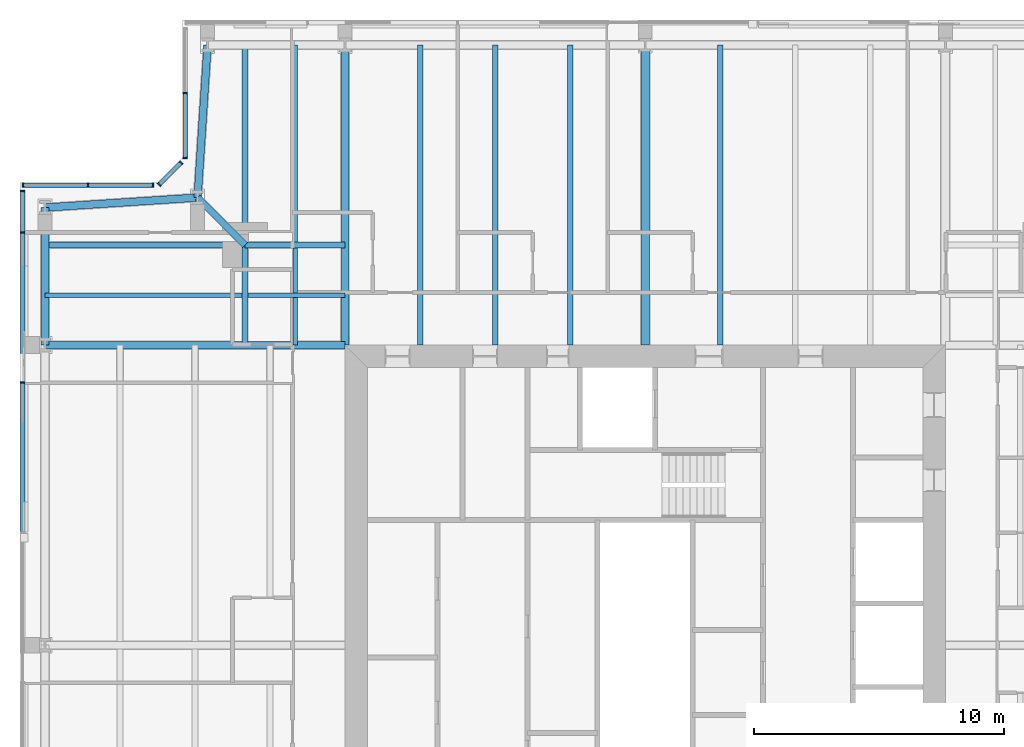
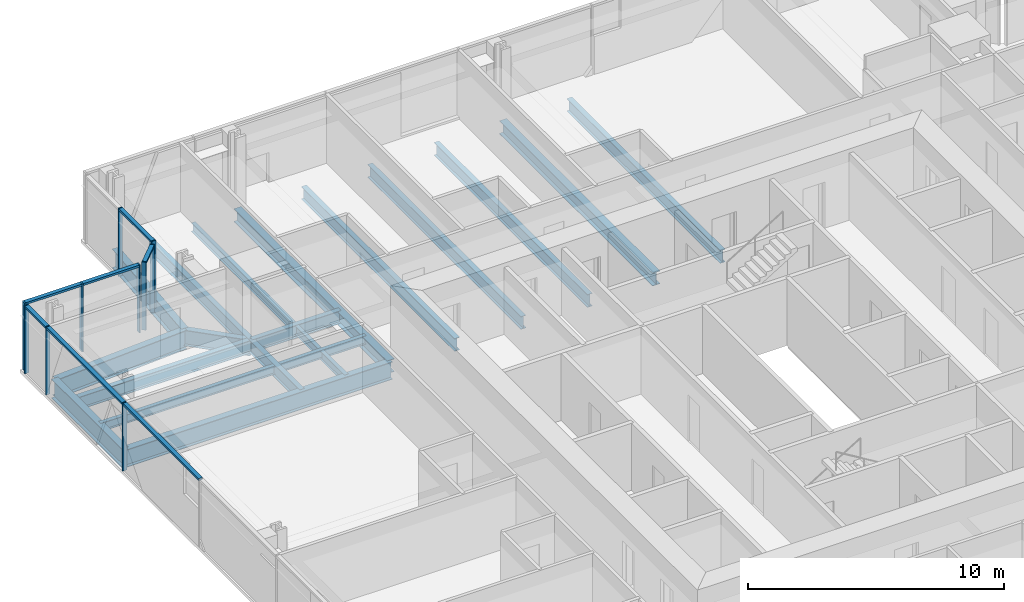
# One storey, part 7 of 18: 20 beams, 17 members, 4 elements without a shape of their own.
"""IFC4 building model written with IfcOpenShell, lengths in metres."""

from ifc_helpers import new_model, si_unit, direction, frame, origin, origin_2d, place, context, subcontext, project, spatial, rectangle, i_section, extrude, material, material_profile, profile_set, type_object, element, aggregate, save


model = new_model("IFC4")

# Units and contexts
model_context = context("Model", 3, precision=1e-05, world=origin(), true_north=direction((0.0, 1.0)))
body_context = subcontext(model_context, "Body", "Model", "MODEL_VIEW")
ifc_project = project(units=[si_unit("LENGTHUNIT", "METRE"), si_unit("AREAUNIT", "SQUARE_METRE"), si_unit("VOLUMEUNIT", "CUBIC_METRE"), si_unit("PLANEANGLEUNIT", "RADIAN"), si_unit("MASSUNIT", "GRAM", prefix="KILO")], contexts=[model_context])

# Site, building, storey
site_placement = place(None, origin())
site = spatial("IfcSite", under=ifc_project, at=site_placement, CompositionType="ELEMENT")
building_placement = place(site_placement, origin())
building = spatial("IfcBuilding", under=site, at=building_placement, Name="Fenwick Lantern Interchange", CompositionType="ELEMENT")
storey_placement = place(building_placement, frame((0.0, 0.0, 262.800048828125)))
storey = spatial("IfcBuildingStorey", under=building, at=storey_placement, Name="L62", CompositionType="ELEMENT", Elevation=262.800048828125)

# Beams
ifc_material_1 = material(Name="Steel ASTM A992 Grade 50", Category="steel")
ifc_material_profile_1 = material_profile(ifc_material_1, i_section(OverallWidth=0.3046875, OverallDepth=0.911865234375, WebThickness=0.015869140625, FlangeThickness=0.02392578125, at=origin_2d()), Name="W36X150")
ifc_profile_set_1 = profile_set([ifc_material_profile_1], Name="Steel ASTM A992 Grade 50")
beam_type_1 = type_object("IfcBeamType", Name="EDGE BEAM W36X150", PredefinedType="SPANDREL", material=ifc_profile_set_1)
for number, where, z_axis, x_axis, name in (
    (1, (7.5, 49.0, -0.60595703125), (-0.065416293237, -0.997858060337, 0.0), (0.997858060337, -0.065416293237, 0.0), "L62/FR/N/EBR1"),
    (2, (7.10009765625, 42.89990234375, -0.60595703125), (-0.997858060337, -0.065416293237, 0.0), (0.065416293237, -0.997858060337, 0.0), "L62/FR/N/EBR2"),
):
    element("IfcBeam", number, at=place(storey_placement, frame(where, z_axis=z_axis, x_axis=x_axis)), inside=storey, type_object=beam_type_1, Name=name, PredefinedType="SPANDREL", context=body_context, shape_type="SweptSolid", body=[
        extrude(i_section(OverallWidth=0.3046875, OverallDepth=0.911865234375, WebThickness=0.015869140625, FlangeThickness=0.02392578125, at=origin_2d()), origin(), (0.0, 0.0, 1.0), 6.11328125),
    ])
beam_1_placement = place(storey_placement, frame((1.0, 42.5, -0.60595703125), z_axis=(0.0, -1.0, 0.0), x_axis=(1.0, 0.0, 0.0)))
element("IfcBeam", 3, at=beam_1_placement, inside=storey, type_object=beam_type_1, Name="L62/FR/W/EB1", PredefinedType="SPANDREL", context=body_context, shape_type="SweptSolid", body=[
    extrude(i_section(OverallWidth=0.3046875, OverallDepth=0.911865234375, WebThickness=0.015869140625, FlangeThickness=0.02392578125, at=origin_2d()), origin(), (0.0, 0.0, 1.0), 5.5),
])
ifc_material_profile_2 = material_profile(ifc_material_1, i_section(OverallWidth=0.22900390625, OverallDepth=0.612060546875, WebThickness=0.011962890625, FlangeThickness=0.01953125, at=origin_2d()), Name="W24X84")
ifc_profile_set_2 = profile_set([ifc_material_profile_2], Name="Steel ASTM A992 Grade 50")
beam_type_2 = type_object("IfcBeamType", Name="FLOOR BEAM W24X84", PredefinedType="BEAM", material=ifc_profile_set_2)
for number, where, z_axis, x_axis, name in (
    (4, (28.0, 49.0, -0.4560546875), (0.0, -1.0, 0.0), (1.0, 0.0, 0.0), "L62/FR/N/R04"),
    (5, (22.0, 49.0, -0.4560546875), (0.0, -1.0, 0.0), (1.0, 0.0, 0.0), "L62/FR/N/R06"),
    (6, (19.0, 49.0, -0.4560546875), (0.0, -1.0, 0.0), (1.0, 0.0, 0.0), "L62/FR/N/R07"),
    (7, (16.0, 49.0, -0.4560546875), (0.0, -1.0, 0.0), (1.0, 0.0, 0.0), "L62/FR/N/R08"),
):
    element("IfcBeam", number, at=place(storey_placement, frame(where, z_axis=z_axis, x_axis=x_axis)), inside=storey, type_object=beam_type_2, Name=name, PredefinedType="BEAM", context=body_context, shape_type="SweptSolid", body=[
        extrude(i_section(OverallWidth=0.22900390625, OverallDepth=0.612060546875, WebThickness=0.011962890625, FlangeThickness=0.01953125, at=origin_2d()), origin(), (0.0, 0.0, 1.0), 12.0),
    ])

# Curtain wall, members
ifc_material_2 = material(Name="Aluminium curtain wall frame", Category="aluminium")
curtain_wall_type = type_object("IfcCurtainWallType", Name="HOTEL CURTAIN WALL", PredefinedType="USERDEFINED", material=ifc_material_2)
curtain_wall_1_placement = place(storey_placement, origin())
curtain_wall_1 = element("IfcCurtainWall", 8, at=curtain_wall_1_placement, inside=storey, type_object=curtain_wall_type, Name="Hotel curtain wall 10", ObjectType="HOTEL CURTAIN WALL", PredefinedType="USERDEFINED")
ifc_material_3 = material(Name="Aluminium extrusion", Category="aluminium")
ifc_material_profile_3 = material_profile(ifc_material_3, rectangle(XDim=0.179931640625, YDim=0.06005859375, at=origin_2d()), Name="HOTEL CURTAIN WALL MULLION 60 X 180")
ifc_profile_set_3 = profile_set([ifc_material_profile_3], Name="Aluminium extrusion")
member_type_1 = type_object("IfcMemberType", Name="HOTEL CURTAIN WALL MULLION 60 X 180", PredefinedType="MULLION", material=ifc_profile_set_3)
member_1_placement = place(storey_placement, frame((6.60009765625, 47.079345703125, 0.0), z_axis=(0.0, 0.0, 1.0), x_axis=(1.0, 0.0, 0.0)))
member_1 = element("IfcMember", 9, at=member_1_placement, type_object=member_type_1, Name="L62/CW/10/M01", PredefinedType="MULLION", context=body_context, shape_type="SweptSolid", body=[
    extrude(rectangle(XDim=0.179931640625, YDim=0.06005859375, at=origin_2d()), origin(), (0.0, 0.0, 1.0), 3.25),
])
member_2_placement = place(storey_placement, frame((6.60009765625, 44.488525390625, 0.0), z_axis=(0.0, 0.0, 1.0), x_axis=(1.0, 0.0, 0.0)))
member_2 = element("IfcMember", 10, at=member_2_placement, type_object=member_type_1, Name="L62/CW/10/M02", PredefinedType="MULLION", context=body_context, shape_type="SweptSolid", body=[
    extrude(rectangle(XDim=0.179931640625, YDim=0.06005859375, at=origin_2d()), origin(), (0.0, 0.0, 1.0), 3.25),
])

curtain_wall_2_placement = place(storey_placement, origin())
curtain_wall_2 = element("IfcCurtainWall", 11, at=curtain_wall_2_placement, inside=storey, type_object=curtain_wall_type, Name="Hotel curtain wall 11", ObjectType="HOTEL CURTAIN WALL", PredefinedType="USERDEFINED")
member_3_placement = place(storey_placement, frame((6.437255859375, 44.2958984375, 0.0), z_axis=(0.0, 0.0, 1.0), x_axis=(0.707106781187, -0.707106781187, 0.0)))
member_3 = element("IfcMember", 12, at=member_3_placement, type_object=member_type_1, Name="L62/CW/11/M00", PredefinedType="MULLION", context=body_context, shape_type="SweptSolid", body=[
    extrude(rectangle(XDim=0.179931640625, YDim=0.06005859375, at=origin_2d()), origin(), (0.0, 0.0, 1.0), 3.25),
])
member_4_placement = place(storey_placement, frame((5.562744140625, 43.421142578125, 0.0), z_axis=(0.0, 0.0, 1.0), x_axis=(0.707106781187, -0.707106781187, 0.0)))
member_4 = element("IfcMember", 13, at=member_4_placement, type_object=member_type_1, Name="L62/CW/11/M01", PredefinedType="MULLION", context=body_context, shape_type="SweptSolid", body=[
    extrude(rectangle(XDim=0.179931640625, YDim=0.06005859375, at=origin_2d()), origin(), (0.0, 0.0, 1.0), 3.25),
])

curtain_wall_3_placement = place(storey_placement, origin())
curtain_wall_3 = element("IfcCurtainWall", 14, at=curtain_wall_3_placement, inside=storey, type_object=curtain_wall_type, Name="Hotel curtain wall 12", ObjectType="HOTEL CURTAIN WALL", PredefinedType="USERDEFINED")
member_5_placement = place(storey_placement, frame((5.3115234375, 43.39990234375, 0.0), z_axis=(0.0, 0.0, 1.0), x_axis=(0.0, -1.0, 0.0)))
member_5 = element("IfcMember", 15, at=member_5_placement, type_object=member_type_1, Name="L62/CW/12/M00", PredefinedType="MULLION", context=body_context, shape_type="SweptSolid", body=[
    extrude(rectangle(XDim=0.179931640625, YDim=0.06005859375, at=origin_2d()), origin(), (0.0, 0.0, 1.0), 3.25),
])
member_6_placement = place(storey_placement, frame((2.720703125, 43.39990234375, 0.0), z_axis=(0.0, 0.0, 1.0), x_axis=(0.0, -1.0, 0.0)))
member_6 = element("IfcMember", 16, at=member_6_placement, type_object=member_type_1, Name="L62/CW/12/M01", PredefinedType="MULLION", context=body_context, shape_type="SweptSolid", body=[
    extrude(rectangle(XDim=0.179931640625, YDim=0.06005859375, at=origin_2d()), origin(), (0.0, 0.0, 1.0), 3.25),
])
member_7_placement = place(storey_placement, frame((0.1298828125, 43.39990234375, 0.0), z_axis=(0.0, 0.0, 1.0), x_axis=(0.0, -1.0, 0.0)))
member_7 = element("IfcMember", 17, at=member_7_placement, type_object=member_type_1, Name="L62/CW/12/M02", PredefinedType="MULLION", context=body_context, shape_type="SweptSolid", body=[
    extrude(rectangle(XDim=0.179931640625, YDim=0.06005859375, at=origin_2d()), origin(), (0.0, 0.0, 1.0), 3.25),
])

curtain_wall_4_placement = place(storey_placement, origin())
curtain_wall_4 = element("IfcCurtainWall", 18, at=curtain_wall_4_placement, inside=storey, type_object=curtain_wall_type, Name="Hotel curtain wall 13", ObjectType="HOTEL CURTAIN WALL", PredefinedType="USERDEFINED")
member_8_placement = place(storey_placement, frame((0.10009765625, 43.169921875, 0.0), z_axis=(0.0, 0.0, 1.0), x_axis=(1.0, 0.0, 0.0)))
member_8 = element("IfcMember", 19, at=member_8_placement, type_object=member_type_1, Name="L62/CW/13/M00", PredefinedType="MULLION", context=body_context, shape_type="SweptSolid", body=[
    extrude(rectangle(XDim=0.179931640625, YDim=0.06005859375, at=origin_2d()), origin(), (0.0, 0.0, 1.0), 3.25),
])
member_9_placement = place(storey_placement, frame((0.10009765625, 41.5, 0.0), z_axis=(0.0, 0.0, 1.0), x_axis=(1.0, 0.0, 0.0)))
member_9 = element("IfcMember", 20, at=member_9_placement, type_object=member_type_1, Name="L62/CW/13/M01", PredefinedType="MULLION", context=body_context, shape_type="SweptSolid", body=[
    extrude(rectangle(XDim=0.179931640625, YDim=0.06005859375, at=origin_2d()), origin(), (0.0, 0.0, 1.0), 3.25),
])
member_10_placement = place(storey_placement, frame((0.10009765625, 35.5, 0.0), z_axis=(0.0, 0.0, 1.0), x_axis=(1.0, 0.0, 0.0)))
member_10 = element("IfcMember", 21, at=member_10_placement, type_object=member_type_1, Name="L62/CW/13/M02", PredefinedType="MULLION", context=body_context, shape_type="SweptSolid", body=[
    extrude(rectangle(XDim=0.179931640625, YDim=0.06005859375, at=origin_2d()), origin(), (0.0, 0.0, 1.0), 3.25),
])

# Member
ifc_material_profile_4 = material_profile(ifc_material_3, rectangle(XDim=0.179931640625, YDim=0.10009765625, at=origin_2d()), Name="HOTEL CURTAIN WALL TRANSOM 100 X 180")
ifc_profile_set_4 = profile_set([ifc_material_profile_4], Name="Aluminium extrusion")
member_type_2 = type_object("IfcMemberType", Name="HOTEL CURTAIN WALL TRANSOM 100 X 180", PredefinedType="MULLION", material=ifc_profile_set_4)
member_11_placement = place(storey_placement, frame((6.60009765625, 47.04931640625, 3.199951171875), z_axis=(0.0, -1.0, 0.0), x_axis=(1.0, 0.0, 0.0)))
member_11 = element("IfcMember", 22, at=member_11_placement, type_object=member_type_2, Name="L62/CW/10/T01", PredefinedType="MULLION", context=body_context, shape_type="SweptSolid", body=[
    extrude(rectangle(XDim=0.179931640625, YDim=0.10009765625, at=origin_2d()), origin(), (0.0, 0.0, 1.0), 2.53076171875),
])

aggregate(curtain_wall_1, [member_1, member_2, member_11])

member_12_placement = place(storey_placement, frame((6.416259765625, 44.274658203125, 3.199951171875), z_axis=(-0.707210470133, -0.707003077033, 0.0), x_axis=(0.707003077033, -0.707210470133, 0.0)))
member_12 = element("IfcMember", 23, at=member_12_placement, type_object=member_type_2, Name="L62/CW/11/T00", PredefinedType="MULLION", context=body_context, shape_type="SweptSolid", body=[
    extrude(rectangle(XDim=0.179931640625, YDim=0.10009765625, at=origin_2d()), origin(), (0.0, 0.0, 1.0), 1.17724609375),
])

aggregate(curtain_wall_2, [member_3, member_4, member_12])

member_13_placement = place(storey_placement, frame((5.281494140625, 43.39990234375, 3.199951171875), z_axis=(-1.0, 0.0, 0.0), x_axis=(0.0, -1.0, 0.0)))
member_13 = element("IfcMember", 24, at=member_13_placement, type_object=member_type_2, Name="L62/CW/12/T00", PredefinedType="MULLION", context=body_context, shape_type="SweptSolid", body=[
    extrude(rectangle(XDim=0.179931640625, YDim=0.10009765625, at=origin_2d()), origin(), (0.0, 0.0, 1.0), 2.53076171875),
])

member_14_placement = place(storey_placement, frame((2.690673828125, 43.39990234375, 3.199951171875), z_axis=(-1.0, 0.0, 0.0), x_axis=(0.0, -1.0, 0.0)))
member_14 = element("IfcMember", 25, at=member_14_placement, type_object=member_type_2, Name="L62/CW/12/T01", PredefinedType="MULLION", context=body_context, shape_type="SweptSolid", body=[
    extrude(rectangle(XDim=0.179931640625, YDim=0.10009765625, at=origin_2d()), origin(), (0.0, 0.0, 1.0), 2.53076171875),
])

aggregate(curtain_wall_3, [member_5, member_6, member_7, member_13, member_14])

member_15_placement = place(storey_placement, frame((0.10009765625, 43.139892578125, 3.199951171875), z_axis=(0.0, -1.0, 0.0), x_axis=(1.0, 0.0, 0.0)))
member_15 = element("IfcMember", 26, at=member_15_placement, type_object=member_type_2, Name="L62/CW/13/T00", PredefinedType="MULLION", context=body_context, shape_type="SweptSolid", body=[
    extrude(rectangle(XDim=0.179931640625, YDim=0.10009765625, at=origin_2d()), origin(), (0.0, 0.0, 1.0), 1.60986328125),
])

member_16_placement = place(storey_placement, frame((0.10009765625, 41.469970703125, 3.199951171875), z_axis=(0.0, -1.0, 0.0), x_axis=(1.0, 0.0, 0.0)))
member_16 = element("IfcMember", 27, at=member_16_placement, type_object=member_type_2, Name="L62/CW/13/T01", PredefinedType="MULLION", context=body_context, shape_type="SweptSolid", body=[
    extrude(rectangle(XDim=0.179931640625, YDim=0.10009765625, at=origin_2d()), origin(), (0.0, 0.0, 1.0), 5.93994140625),
])

member_17_placement = place(storey_placement, frame((0.10009765625, 35.469970703125, 3.199951171875), z_axis=(0.0, -1.0, 0.0), x_axis=(1.0, 0.0, 0.0)))
member_17 = element("IfcMember", 28, at=member_17_placement, type_object=member_type_2, Name="L62/CW/13/T02", PredefinedType="MULLION", context=body_context, shape_type="SweptSolid", body=[
    extrude(rectangle(XDim=0.179931640625, YDim=0.10009765625, at=origin_2d()), origin(), (0.0, 0.0, 1.0), 5.93994140625),
])

aggregate(curtain_wall_4, [member_8, member_9, member_10, member_15, member_16, member_17])

# Beams
ifc_material_profile_5 = material_profile(ifc_material_1, i_section(OverallWidth=0.177734375, OverallDepth=0.406494140625, WebThickness=0.0078125, FlangeThickness=0.012939453125, at=origin_2d()), Name="W16X40")
ifc_profile_set_5 = profile_set([ifc_material_profile_5], Name="Steel ASTM A992 Grade 50")
beam_type_3 = type_object("IfcBeamType", Name="INFILL BEAM W16X40", PredefinedType="JOIST", material=ifc_profile_set_5)
beam_2_placement = place(storey_placement, frame((1.0, 39.0, -0.353271484375), z_axis=(1.0, 0.0, 0.0), x_axis=(0.0, 1.0, 0.0)))
element("IfcBeam", 29, at=beam_2_placement, inside=storey, type_object=beam_type_3, Name="L62/FR/W/J1", PredefinedType="JOIST", context=body_context, shape_type="SweptSolid", body=[
    extrude(i_section(OverallWidth=0.177734375, OverallDepth=0.406494140625, WebThickness=0.0078125, FlangeThickness=0.012939453125, at=origin_2d()), origin(), (0.0, 0.0, 1.0), 7.885498046875),
])
beam_3_placement = place(storey_placement, frame((9.114501953125, 39.0, -0.353271484375), z_axis=(1.0, 0.0, 0.0), x_axis=(0.0, 1.0, 0.0)))
element("IfcBeam", 30, at=beam_3_placement, inside=storey, type_object=beam_type_3, Name="L62/FR/W/J2", PredefinedType="JOIST", context=body_context, shape_type="SweptSolid", body=[
    extrude(i_section(OverallWidth=0.177734375, OverallDepth=0.406494140625, WebThickness=0.0078125, FlangeThickness=0.012939453125, at=origin_2d()), origin(), (0.0, 0.0, 1.0), 3.885498046875),
])
beam_4_placement = place(storey_placement, frame((11.0, 49.0, -0.353271484375), z_axis=(0.0, -1.0, 0.0), x_axis=(1.0, 0.0, 0.0)))
element("IfcBeam", 31, at=beam_4_placement, inside=storey, type_object=beam_type_3, Name="L62/FR/W/J3", PredefinedType="JOIST", context=body_context, shape_type="SweptSolid", body=[
    extrude(i_section(OverallWidth=0.177734375, OverallDepth=0.406494140625, WebThickness=0.0078125, FlangeThickness=0.012939453125, at=origin_2d()), origin(), (0.0, 0.0, 1.0), 7.885498046875),
])
beam_5_placement = place(storey_placement, frame((11.0, 40.885498046875, -0.353271484375), z_axis=(0.0, -1.0, 0.0), x_axis=(1.0, 0.0, 0.0)))
element("IfcBeam", 32, at=beam_5_placement, inside=storey, type_object=beam_type_3, Name="L62/FR/W/J4", PredefinedType="JOIST", context=body_context, shape_type="SweptSolid", body=[
    extrude(i_section(OverallWidth=0.177734375, OverallDepth=0.406494140625, WebThickness=0.0078125, FlangeThickness=0.012939453125, at=origin_2d()), origin(), (0.0, 0.0, 1.0), 1.796630859375),
])
beam_6_placement = place(storey_placement, frame((11.0, 38.9111328125, -0.353271484375), z_axis=(0.0, -1.0, 0.0), x_axis=(1.0, 0.0, 0.0)))
element("IfcBeam", 33, at=beam_6_placement, inside=storey, type_object=beam_type_3, Name="L62/FR/W/J5", PredefinedType="JOIST", context=body_context, shape_type="SweptSolid", body=[
    extrude(i_section(OverallWidth=0.177734375, OverallDepth=0.406494140625, WebThickness=0.0078125, FlangeThickness=0.012939453125, at=origin_2d()), origin(), (0.0, 0.0, 1.0), 1.9111328125),
])
ifc_material_profile_6 = material_profile(ifc_material_1, i_section(OverallWidth=0.22900390625, OverallDepth=0.612060546875, WebThickness=0.011962890625, FlangeThickness=0.01953125, at=origin_2d()), Name="W24X84")
ifc_profile_set_6 = profile_set([ifc_material_profile_6], Name="Steel ASTM A992 Grade 50")
beam_type_4 = type_object("IfcBeamType", Name="MEGA COLUMN BEAM W24X84", PredefinedType="BEAM", material=ifc_profile_set_6)
for number, where, z_axis, x_axis, name in (
    (34, (9.0, 41.0, -0.4560546875), (-1.0, 0.0, 0.0), (0.0, -1.0, 0.0), "L62/FR/W/MB1"),
    (35, (9.0, 41.0, -0.4560546875), (0.0, 1.0, 0.0), (-1.0, 0.0, 0.0), "L62/FR/W/MB2"),
):
    element("IfcBeam", number, at=place(storey_placement, frame(where, z_axis=z_axis, x_axis=x_axis)), inside=storey, type_object=beam_type_4, Name=name, PredefinedType="BEAM", context=body_context, shape_type="SweptSolid", body=[
        extrude(i_section(OverallWidth=0.22900390625, OverallDepth=0.612060546875, WebThickness=0.011962890625, FlangeThickness=0.01953125, at=origin_2d()), origin(), (0.0, 0.0, 1.0), 8.0),
    ])
for number, where, z_axis, x_axis, name in (
    (36, (9.0, 41.0, -0.4560546875), (0.0, -1.0, 0.0), (1.0, 0.0, 0.0), "L62/FR/W/MB3"),
    (37, (9.0, 41.0, -0.4560546875), (1.0, 0.0, 0.0), (0.0, 1.0, 0.0), "L62/FR/W/MB4"),
):
    element("IfcBeam", number, at=place(storey_placement, frame(where, z_axis=z_axis, x_axis=x_axis)), inside=storey, type_object=beam_type_4, Name=name, PredefinedType="BEAM", context=body_context, shape_type="SweptSolid", body=[
        extrude(i_section(OverallWidth=0.22900390625, OverallDepth=0.612060546875, WebThickness=0.011962890625, FlangeThickness=0.01953125, at=origin_2d()), origin(), (0.0, 0.0, 1.0), 4.0),
    ])
ifc_material_profile_7 = material_profile(ifc_material_1, i_section(OverallWidth=0.32763671875, OverallDepth=0.622314453125, WebThickness=0.015380859375, FlangeThickness=0.0244140625, at=origin_2d()), Name="W24X131")
ifc_profile_set_7 = profile_set([ifc_material_profile_7], Name="Steel ASTM A992 Grade 50")
beam_type_5 = type_object("IfcBeamType", Name="MOMENT-CONNECTED GIRDER W24X131", PredefinedType="BEAM", material=ifc_profile_set_7)
for number, where, z_axis, x_axis, name in (
    (38, (25.0, 49.0, -0.461181640625), (0.0, -1.0, 0.0), (1.0, 0.0, 0.0), "L62/FR/N/R05"),
    (39, (13.0, 49.0, -0.461181640625), (0.0, -1.0, 0.0), (1.0, 0.0, 0.0), "L62/FR/N/R09"),
):
    element("IfcBeam", number, at=place(storey_placement, frame(where, z_axis=z_axis, x_axis=x_axis)), inside=storey, type_object=beam_type_5, Name=name, PredefinedType="BEAM", context=body_context, shape_type="SweptSolid", body=[
        extrude(i_section(OverallWidth=0.32763671875, OverallDepth=0.622314453125, WebThickness=0.015380859375, FlangeThickness=0.0244140625, at=origin_2d()), origin(), (0.0, 0.0, 1.0), 12.0),
    ])
ifc_material_profile_8 = material_profile(ifc_material_1, i_section(OverallWidth=0.2919921875, OverallDepth=0.845703125, WebThickness=0.015380859375, FlangeThickness=0.0244140625, at=origin_2d()), Name="W33X141")
ifc_profile_set_8 = profile_set([ifc_material_profile_8], Name="Steel ASTM A992 Grade 50")
beam_type_6 = type_object("IfcBeamType", Name="MOMENT-CONNECTED GIRDER W33X141", PredefinedType="BEAM", material=ifc_profile_set_8)
beam_7_placement = place(storey_placement, frame((1.0, 37.0, -0.572998046875), z_axis=(1.0, 0.0, 0.0), x_axis=(0.0, 1.0, 0.0)))
element("IfcBeam", 40, at=beam_7_placement, inside=storey, type_object=beam_type_6, Name="L62/FR/W/R01", PredefinedType="BEAM", context=body_context, shape_type="SweptSolid", body=[
    extrude(i_section(OverallWidth=0.2919921875, OverallDepth=0.845703125, WebThickness=0.015380859375, FlangeThickness=0.0244140625, at=origin_2d()), origin(), (0.0, 0.0, 1.0), 12.0),
])
ifc_material_profile_9 = material_profile(ifc_material_1, i_section(OverallWidth=0.2666015625, OverallDepth=0.7568359375, WebThickness=0.013916015625, FlangeThickness=0.019287109375, at=origin_2d()), Name="W30X108")
ifc_profile_set_9 = profile_set([ifc_material_profile_9], Name="Steel ASTM A992 Grade 50")
beam_type_7 = type_object("IfcBeamType", Name="NOTCH BEAM W30X108", PredefinedType="BEAM", material=ifc_profile_set_9)
beam_8_placement = place(storey_placement, frame((9.0, 41.0, -0.528564453125), z_axis=(-0.707106781187, 0.707106781187, 0.0), x_axis=(-0.707106781187, -0.707106781187, 0.0)))
element("IfcBeam", 41, at=beam_8_placement, inside=storey, type_object=beam_type_7, Name="L62/FR/W/TG", PredefinedType="BEAM", context=body_context, shape_type="SweptSolid", body=[
    extrude(i_section(OverallWidth=0.2666015625, OverallDepth=0.7568359375, WebThickness=0.013916015625, FlangeThickness=0.019287109375, at=origin_2d()), origin(), (0.0, 0.0, 1.0), 2.686767578125),
])

save(model, "model.ifc")
